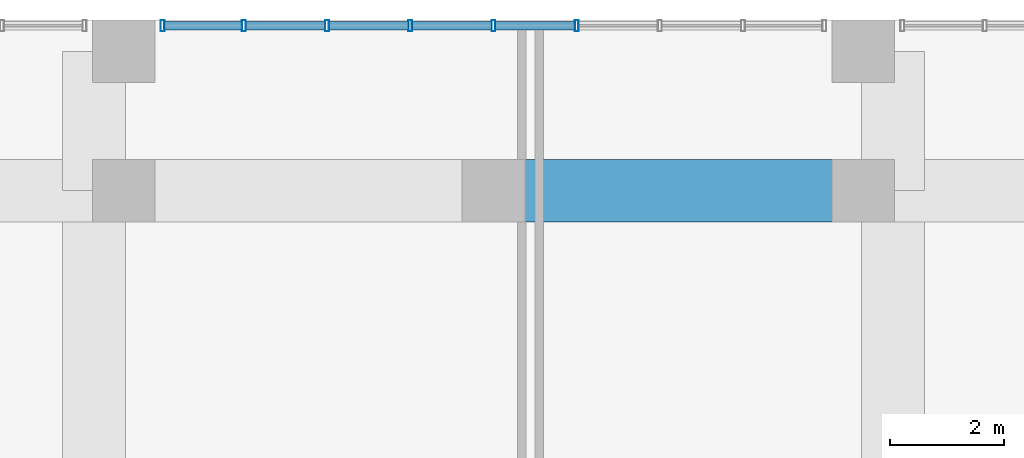
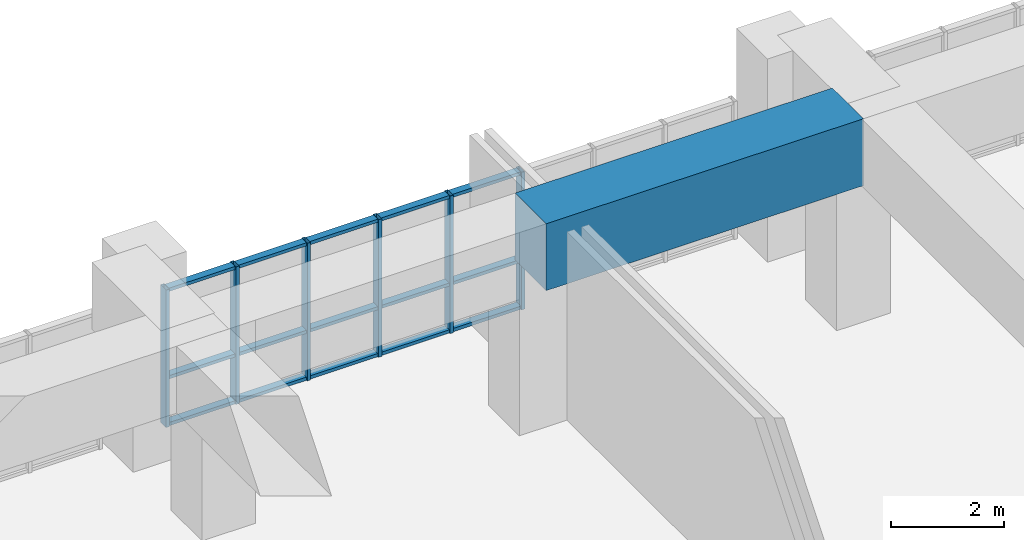
# One storey, part 12 of 28: 21 members, 1 beam, 1 element without a shape of its own.
"""IFC4 building model written with IfcOpenShell, lengths in metres."""

from ifc_helpers import new_model, si_unit, direction, frame, origin, origin_2d, place, context, subcontext, project, spatial, rectangle, hollow_rectangle, extrude, source, transform, mapped, material, layer, layer_set, material_profile, profile_set, type_object, element, aggregate, save


model = new_model("IFC4")

# Units and contexts
model_context = context("Model", 3, precision=1e-05, world=origin(), true_north=direction((0.0, 1.0)))
body_context = subcontext(model_context, "Body", "Model", "MODEL_VIEW")
ifc_project = project(units=[si_unit("LENGTHUNIT", "METRE"), si_unit("AREAUNIT", "SQUARE_METRE"), si_unit("VOLUMEUNIT", "CUBIC_METRE"), si_unit("PLANEANGLEUNIT", "RADIAN"), si_unit("MASSUNIT", "GRAM", prefix="KILO")], contexts=[model_context])

# Site, building, storey
site_placement = place(None, origin())
site = spatial("IfcSite", under=ifc_project, at=site_placement, CompositionType="ELEMENT")
building_placement = place(site_placement, origin())
building = spatial("IfcBuilding", under=site, at=building_placement, Name="Saelheon Loggia Tower", CompositionType="ELEMENT")
storey_placement = place(building_placement, frame((0.0, 0.0, 15.0)))
storey = spatial("IfcBuildingStorey", under=building, at=storey_placement, Name="L04", CompositionType="ELEMENT", Elevation=15.0)

# Beam
ifc_material_1 = material(Name="Concrete C50/60", Category="concrete")
ifc_material_profile_1 = material_profile(ifc_material_1, rectangle(XDim=1.10009765625, YDim=1.449951171875, at=origin_2d()), Name="RC-1100x1450")
ifc_profile_set_1 = profile_set([ifc_material_profile_1], Name="Concrete C50/60")
beam_type = type_object("IfcBeamType", Name="Beam_Transfer_RC1100x1450", PredefinedType="BEAM", material=ifc_profile_set_1)
shared_shape_1 = source(origin(), body_context, "Body", "SweptSolid", [
    extrude(rectangle(XDim=1.10009765625, YDim=1.449951171875, at=origin_2d()), origin(), (0.0, 0.0, 1.0), 6.5),
])
beam_placement = place(storey_placement, frame((38.0, 51.0, 3.675048828125), z_axis=(1.0, 0.0, 0.0), x_axis=(0.0, 1.0, 0.0)))
element("IfcBeam", 1, at=beam_placement, inside=storey, type_object=beam_type, Name="BM-L04-EW-51-6", PredefinedType="BEAM", context=body_context, shape_type="MappedRepresentation", body=[
    mapped(shared_shape_1, transform((0.0, 0.0, 0.0), scale=1.0)),
])

# Curtain wall, members
ifc_material_2 = material(Name="Aluminium 6063-T6 and Low-E IGU", Category="aluminium")
ifc_layer = layer(ifc_material_2, 0.179931640625)
ifc_layer_set = layer_set([ifc_layer], Name="Aluminium 6063-T6 and Low-E IGU")
curtain_wall_type = type_object("IfcCurtainWallType", Name="CW_PodiumClinic", PredefinedType="NOTDEFINED", material=ifc_layer_set)
curtain_wall_placement = place(storey_placement, origin())
curtain_wall = element("IfcCurtainWall", 2, at=curtain_wall_placement, inside=storey, type_object=curtain_wall_type, Name="L04 North Clinic Curtain Wall 2", PredefinedType="NOTDEFINED")
ifc_material_3 = material(Name="Anodised Aluminium 6063-T6", Category="aluminium")
ifc_material_profile_2 = material_profile(ifc_material_3, hollow_rectangle(XDim=0.070068359375, YDim=0.14990234375, WallThickness=0.0048828125, at=origin_2d()), Name="RHS-150x70x5")
ifc_profile_set_2 = profile_set([ifc_material_profile_2], Name="Anodised Aluminium 6063-T6")
member_type_1 = type_object("IfcMemberType", Name="CW_PodiumClinic_Transom", PredefinedType="USERDEFINED", material=ifc_profile_set_2)
shared_shape_2 = source(origin(), body_context, "Body", "SweptSolid", [
    extrude(hollow_rectangle(XDim=0.070068359375, YDim=0.14990234375, WallThickness=0.0048828125, at=origin_2d()), origin(), (0.0, 0.0, 1.0), 1.357421875),
])
member_1_placement = place(storey_placement, frame((32.219970703125, 53.89990234375, 0.034912109375), z_axis=(1.0, 0.0, 0.0), x_axis=(0.0, 0.0, 1.0)))
member_1 = element("IfcMember", 3, at=member_1_placement, type_object=member_type_1, Name="CW1 transom 1.1", ObjectType="TRANSOM", PredefinedType="USERDEFINED", context=body_context, shape_type="MappedRepresentation", body=[
    mapped(shared_shape_2, transform((0.0, 0.0, 0.0), scale=1.0)),
])
member_2_placement = place(storey_placement, frame((32.219970703125, 53.89990234375, 1.050048828125), z_axis=(1.0, 0.0, 0.0), x_axis=(0.0, 0.0, 1.0)))
member_2 = element("IfcMember", 4, at=member_2_placement, type_object=member_type_1, Name="CW1 transom 1.2", ObjectType="TRANSOM", PredefinedType="USERDEFINED", context=body_context, shape_type="MappedRepresentation", body=[
    mapped(shared_shape_2, transform((0.0, 0.0, 0.0), scale=1.0)),
])
member_3_placement = place(storey_placement, frame((32.219970703125, 53.89990234375, 2.945068359375), z_axis=(1.0, 0.0, 0.0), x_axis=(0.0, 0.0, 1.0)))
member_3 = element("IfcMember", 5, at=member_3_placement, type_object=member_type_1, Name="CW1 transom 1.3", ObjectType="TRANSOM", PredefinedType="USERDEFINED", context=body_context, shape_type="MappedRepresentation", body=[
    mapped(shared_shape_2, transform((0.0, 0.0, 0.0), scale=1.0)),
])
shared_shape_3 = source(origin(), body_context, "Body", "SweptSolid", [
    extrude(hollow_rectangle(XDim=0.070068359375, YDim=0.14990234375, WallThickness=0.0048828125, at=origin_2d()), origin(), (0.0, 0.0, 1.0), 1.392578125),
])
member_4_placement = place(storey_placement, frame((33.6474609375, 53.89990234375, 0.034912109375), z_axis=(1.0, 0.0, 0.0), x_axis=(0.0, 0.0, 1.0)))
member_4 = element("IfcMember", 6, at=member_4_placement, type_object=member_type_1, Name="CW1 transom 2.1", ObjectType="TRANSOM", PredefinedType="USERDEFINED", context=body_context, shape_type="MappedRepresentation", body=[
    mapped(shared_shape_3, transform((0.0, 0.0, 0.0), scale=1.0)),
])
member_5_placement = place(storey_placement, frame((33.6474609375, 53.89990234375, 1.050048828125), z_axis=(1.0, 0.0, 0.0), x_axis=(0.0, 0.0, 1.0)))
member_5 = element("IfcMember", 7, at=member_5_placement, type_object=member_type_1, Name="CW1 transom 2.2", ObjectType="TRANSOM", PredefinedType="USERDEFINED", context=body_context, shape_type="MappedRepresentation", body=[
    mapped(shared_shape_3, transform((0.0, 0.0, 0.0), scale=1.0)),
])
member_6_placement = place(storey_placement, frame((33.6474609375, 53.89990234375, 2.945068359375), z_axis=(1.0, 0.0, 0.0), x_axis=(0.0, 0.0, 1.0)))
member_6 = element("IfcMember", 8, at=member_6_placement, type_object=member_type_1, Name="CW1 transom 2.3", ObjectType="TRANSOM", PredefinedType="USERDEFINED", context=body_context, shape_type="MappedRepresentation", body=[
    mapped(shared_shape_3, transform((0.0, 0.0, 0.0), scale=1.0)),
])
member_7_placement = place(storey_placement, frame((36.572509765625, 53.89990234375, 0.034912109375), z_axis=(1.0, 0.0, 0.0), x_axis=(0.0, 0.0, 1.0)))
member_7 = element("IfcMember", 9, at=member_7_placement, type_object=member_type_1, Name="CW1 transom 4.1", ObjectType="TRANSOM", PredefinedType="USERDEFINED", context=body_context, shape_type="MappedRepresentation", body=[
    mapped(shared_shape_3, transform((0.0, 0.0, 0.0), scale=1.0)),
])
member_8_placement = place(storey_placement, frame((36.572509765625, 53.89990234375, 1.050048828125), z_axis=(1.0, 0.0, 0.0), x_axis=(0.0, 0.0, 1.0)))
member_8 = element("IfcMember", 10, at=member_8_placement, type_object=member_type_1, Name="CW1 transom 4.2", ObjectType="TRANSOM", PredefinedType="USERDEFINED", context=body_context, shape_type="MappedRepresentation", body=[
    mapped(shared_shape_3, transform((0.0, 0.0, 0.0), scale=1.0)),
])
member_9_placement = place(storey_placement, frame((36.572509765625, 53.89990234375, 2.945068359375), z_axis=(1.0, 0.0, 0.0), x_axis=(0.0, 0.0, 1.0)))
member_9 = element("IfcMember", 11, at=member_9_placement, type_object=member_type_1, Name="CW1 transom 4.3", ObjectType="TRANSOM", PredefinedType="USERDEFINED", context=body_context, shape_type="MappedRepresentation", body=[
    mapped(shared_shape_3, transform((0.0, 0.0, 0.0), scale=1.0)),
])
member_10_placement = place(storey_placement, frame((38.034912109375, 53.89990234375, 0.034912109375), z_axis=(1.0, 0.0, 0.0), x_axis=(0.0, 0.0, 1.0)))
member_10 = element("IfcMember", 12, at=member_10_placement, type_object=member_type_1, Name="CW1 transom 5.1", ObjectType="TRANSOM", PredefinedType="USERDEFINED", context=body_context, shape_type="MappedRepresentation", body=[
    mapped(shared_shape_3, transform((0.0, 0.0, 0.0), scale=1.0)),
])
member_11_placement = place(storey_placement, frame((38.034912109375, 53.89990234375, 1.050048828125), z_axis=(1.0, 0.0, 0.0), x_axis=(0.0, 0.0, 1.0)))
member_11 = element("IfcMember", 13, at=member_11_placement, type_object=member_type_1, Name="CW1 transom 5.2", ObjectType="TRANSOM", PredefinedType="USERDEFINED", context=body_context, shape_type="MappedRepresentation", body=[
    mapped(shared_shape_3, transform((0.0, 0.0, 0.0), scale=1.0)),
])
member_12_placement = place(storey_placement, frame((38.034912109375, 53.89990234375, 2.945068359375), z_axis=(1.0, 0.0, 0.0), x_axis=(0.0, 0.0, 1.0)))
member_12 = element("IfcMember", 14, at=member_12_placement, type_object=member_type_1, Name="CW1 transom 5.3", ObjectType="TRANSOM", PredefinedType="USERDEFINED", context=body_context, shape_type="MappedRepresentation", body=[
    mapped(shared_shape_3, transform((0.0, 0.0, 0.0), scale=1.0)),
])
shared_shape_4 = source(origin(), body_context, "Body", "SweptSolid", [
    extrude(hollow_rectangle(XDim=0.070068359375, YDim=0.14990234375, WallThickness=0.0048828125, at=origin_2d()), origin(), (0.0, 0.0, 1.0), 1.392333984375),
])
member_13_placement = place(storey_placement, frame((35.110107421875, 53.89990234375, 0.034912109375), z_axis=(1.0, 0.0, 0.0), x_axis=(0.0, 0.0, 1.0)))
member_13 = element("IfcMember", 15, at=member_13_placement, type_object=member_type_1, Name="CW1 transom 3.1", ObjectType="TRANSOM", PredefinedType="USERDEFINED", context=body_context, shape_type="MappedRepresentation", body=[
    mapped(shared_shape_4, transform((0.0, 0.0, 0.0), scale=1.0)),
])
member_14_placement = place(storey_placement, frame((35.110107421875, 53.89990234375, 1.050048828125), z_axis=(1.0, 0.0, 0.0), x_axis=(0.0, 0.0, 1.0)))
member_14 = element("IfcMember", 16, at=member_14_placement, type_object=member_type_1, Name="CW1 transom 3.2", ObjectType="TRANSOM", PredefinedType="USERDEFINED", context=body_context, shape_type="MappedRepresentation", body=[
    mapped(shared_shape_4, transform((0.0, 0.0, 0.0), scale=1.0)),
])
member_15_placement = place(storey_placement, frame((35.110107421875, 53.89990234375, 2.945068359375), z_axis=(1.0, 0.0, 0.0), x_axis=(0.0, 0.0, 1.0)))
member_15 = element("IfcMember", 17, at=member_15_placement, type_object=member_type_1, Name="CW1 transom 3.3", ObjectType="TRANSOM", PredefinedType="USERDEFINED", context=body_context, shape_type="MappedRepresentation", body=[
    mapped(shared_shape_4, transform((0.0, 0.0, 0.0), scale=1.0)),
])
ifc_material_profile_3 = material_profile(ifc_material_3, hollow_rectangle(XDim=0.070068359375, YDim=0.199951171875, WallThickness=0.0048828125, at=origin_2d()), Name="RHS-200x70x5")
ifc_profile_set_3 = profile_set([ifc_material_profile_3], Name="Anodised Aluminium 6063-T6")
member_type_2 = type_object("IfcMemberType", Name="CW_PodiumClinic_Mullion", PredefinedType="MULLION", material=ifc_profile_set_3)
shared_shape_5 = source(origin(), body_context, "Body", "SweptSolid", [
    extrude(hollow_rectangle(XDim=0.070068359375, YDim=0.199951171875, WallThickness=0.0048828125, at=origin_2d()), origin(), (0.0, 0.0, 1.0), 2.97998046875),
])
member_16_placement = place(storey_placement, frame((32.18505859375, 53.89990234375, 0.0), z_axis=(0.0, 0.0, 1.0), x_axis=(1.0, 0.0, 0.0)))
member_16 = element("IfcMember", 18, at=member_16_placement, type_object=member_type_2, Name="CW1 mullion 1", PredefinedType="MULLION", context=body_context, shape_type="MappedRepresentation", body=[
    mapped(shared_shape_5, transform((0.0, 0.0, 0.0), scale=1.0)),
])
member_17_placement = place(storey_placement, frame((33.612548828125, 53.89990234375, 0.0), z_axis=(0.0, 0.0, 1.0), x_axis=(1.0, 0.0, 0.0)))
member_17 = element("IfcMember", 19, at=member_17_placement, type_object=member_type_2, Name="CW1 mullion 2", PredefinedType="MULLION", context=body_context, shape_type="MappedRepresentation", body=[
    mapped(shared_shape_5, transform((0.0, 0.0, 0.0), scale=1.0)),
])
member_18_placement = place(storey_placement, frame((35.074951171875, 53.89990234375, 0.0), z_axis=(0.0, 0.0, 1.0), x_axis=(1.0, 0.0, 0.0)))
member_18 = element("IfcMember", 20, at=member_18_placement, type_object=member_type_2, Name="CW1 mullion 3", PredefinedType="MULLION", context=body_context, shape_type="MappedRepresentation", body=[
    mapped(shared_shape_5, transform((0.0, 0.0, 0.0), scale=1.0)),
])
member_19_placement = place(storey_placement, frame((36.53759765625, 53.89990234375, 0.0), z_axis=(0.0, 0.0, 1.0), x_axis=(1.0, 0.0, 0.0)))
member_19 = element("IfcMember", 21, at=member_19_placement, type_object=member_type_2, Name="CW1 mullion 4", PredefinedType="MULLION", context=body_context, shape_type="MappedRepresentation", body=[
    mapped(shared_shape_5, transform((0.0, 0.0, 0.0), scale=1.0)),
])
member_20_placement = place(storey_placement, frame((38.0, 53.89990234375, 0.0), z_axis=(0.0, 0.0, 1.0), x_axis=(1.0, 0.0, 0.0)))
member_20 = element("IfcMember", 22, at=member_20_placement, type_object=member_type_2, Name="CW1 mullion 5", PredefinedType="MULLION", context=body_context, shape_type="MappedRepresentation", body=[
    mapped(shared_shape_5, transform((0.0, 0.0, 0.0), scale=1.0)),
])
member_21_placement = place(storey_placement, frame((39.46240234375, 53.89990234375, 0.0), z_axis=(0.0, 0.0, 1.0), x_axis=(1.0, 0.0, 0.0)))
member_21 = element("IfcMember", 23, at=member_21_placement, type_object=member_type_2, Name="CW1 mullion 6", PredefinedType="MULLION", context=body_context, shape_type="MappedRepresentation", body=[
    mapped(shared_shape_5, transform((0.0, 0.0, 0.0), scale=1.0)),
])
aggregate(curtain_wall, [member_16, member_17, member_18, member_19, member_20, member_21, member_1, member_2, member_3, member_4, member_5, member_6, member_13, member_14, member_15, member_7, member_8, member_9, member_10, member_11, member_12])

save(model, "model.ifc")
